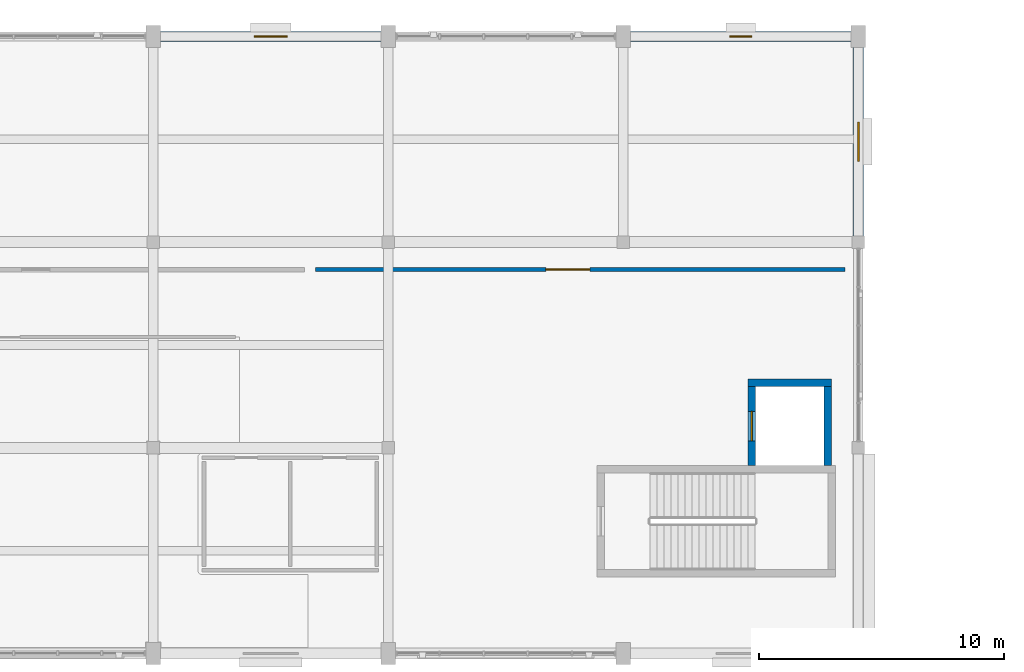
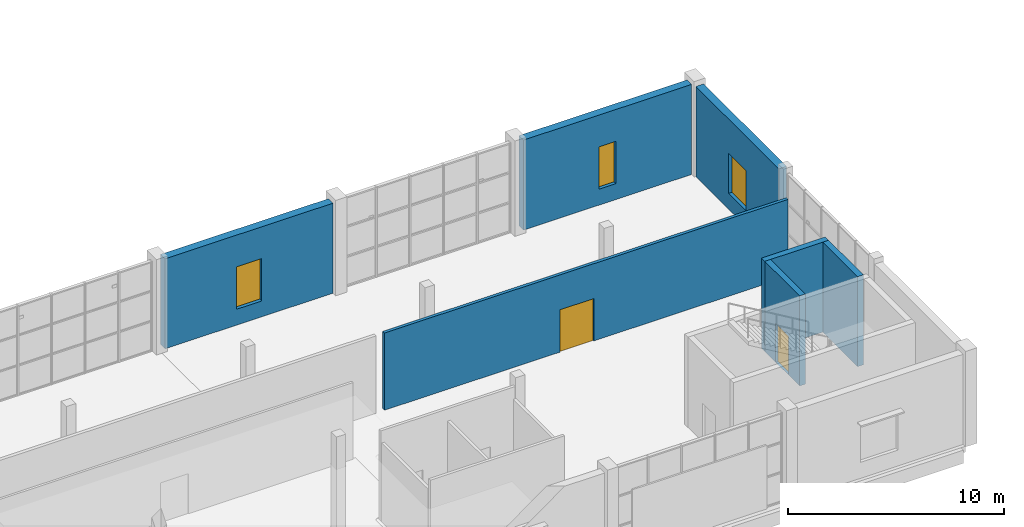
# One storey, part 49 of 72: 7 walls, 3 windows, 2 doors, 5 openings.
"""IFC4 building model written with IfcOpenShell, lengths in metres."""

from ifc_helpers import new_model, si_unit, direction, frame, frame_2d, origin, place, context, subcontext, project, spatial, rectangle, extrude, material, layer, layer_set, type_object, element, fill, save


model = new_model("IFC4")

# Units and contexts
model_context = context("Model", 3, precision=1e-05, world=origin(), true_north=direction((0.0, 1.0)))
body_context = subcontext(model_context, "Body", "Model", "MODEL_VIEW")
ifc_project = project(units=[si_unit("LENGTHUNIT", "METRE"), si_unit("AREAUNIT", "SQUARE_METRE"), si_unit("VOLUMEUNIT", "CUBIC_METRE"), si_unit("PLANEANGLEUNIT", "RADIAN"), si_unit("MASSUNIT", "GRAM", prefix="KILO")], contexts=[model_context])

# Site, building, storey
site_placement = place(None, origin())
site = spatial("IfcSite", under=ifc_project, at=site_placement, CompositionType="ELEMENT")
building_placement = place(site_placement, origin())
building = spatial("IfcBuilding", under=site, at=building_placement, Name="Shalvenor Court Art Gallery", CompositionType="ELEMENT")
storey_placement = place(building_placement, frame((0.0, 0.0, 11.39990234375)))
storey = spatial("IfcBuildingStorey", under=building, at=storey_placement, Name="L02", CompositionType="ELEMENT", Elevation=11.39990234375)

# Walls
ifc_material_1 = material(Name="Concrete C40/50", Category="concrete")
ifc_layer_1 = layer(ifc_material_1, 0.31005859375, Name="Concrete C40/50")
ifc_layer_set_1 = layer_set([ifc_layer_1], Name="Concrete C40/50")
wall_type_1 = type_object("IfcWallType", Name="CW-W2", PredefinedType="SHEAR", material=ifc_layer_set_1)
wall_1_placement = place(storey_placement, frame((120.2900390625, 108.2548828125, 0.0), z_axis=(0.0, 0.0, 1.0), x_axis=(1.0, 0.0, 0.0)))
element("IfcWall", 1, at=wall_1_placement, inside=storey, type_object=wall_type_1, Name="L02 PL-03 Lift Shaft Wall N", PredefinedType="SHEAR", context=body_context, shape_type="SweptSolid", body=[
    extrude(rectangle(XDim=3.419921875, YDim=0.31005859375, at=frame_2d((1.7099609375, 0.0))), origin(), (0.0, 0.0, 1.0), 5.10009765625),
])
wall_2_placement = place(storey_placement, frame((123.554931640625, 108.10009765625, 0.0), z_axis=(0.0, 0.0, 1.0), x_axis=(0.0, -1.0, 0.0)))
element("IfcWall", 2, at=wall_2_placement, inside=storey, type_object=wall_type_1, Name="L02 PL-03 Lift Shaft Wall E", PredefinedType="SHEAR", context=body_context, shape_type="SweptSolid", body=[
    extrude(rectangle(XDim=3.22802734375, YDim=0.31005859375, at=frame_2d((1.614013671875, 0.0))), origin(), (0.0, 0.0, 1.0), 5.10009765625),
])

# Wall, opening, door
wall_3_placement = place(storey_placement, frame((120.445068359375, 104.8720703125, 0.0), z_axis=(0.0, 0.0, 1.0), x_axis=(0.0, 1.0, 0.0)))
wall_3 = element("IfcWall", 3, at=wall_3_placement, inside=storey, type_object=wall_type_1, Name="L02 PL-03 Lift Shaft Wall W", PredefinedType="SHEAR", context=body_context, shape_type="SweptSolid", body=[
    extrude(rectangle(XDim=3.22802734375, YDim=0.31005859375, at=frame_2d((1.614013671875, 0.0))), origin(), (0.0, 0.0, 1.0), 5.10009765625),
])
opening_1_placement = place(wall_3_placement, frame((1.013916015625, 0.0, 0.0)))
opening_1 = element("IfcOpeningElement", 4, at=opening_1_placement, cuts=wall_3, Name="Opening LD-02", PredefinedType="OPENING", context=body_context, shape_type="SweptSolid", body=[
    extrude(rectangle(XDim=1.199951171875, YDim=2.199951171875, at=frame_2d((0.60009765625, 1.10009765625))), frame((0.0, 0.1650390625, 0.0), z_axis=(0.0, -1.0, 0.0), x_axis=(1.0, 0.0, 0.0)), (0.0, 0.0, 1.0), 0.330078125),
])
ifc_material_2 = material(Name="Brushed stainless passenger lift sliding landing door", Category="steel")
door_type_1 = type_object("IfcDoorType", Name="LD-02", OperationType="NOTDEFINED", PredefinedType="DOOR", material=ifc_material_2)
door_1_placement = place(opening_1_placement, origin())
door_1 = element("IfcDoor", 5, at=door_1_placement, inside=storey, type_object=door_type_1, Name="DR-LD-L02-PL-03 L02 PL-03 Lift Landing Sliding Door", OperationType="DOUBLE_DOOR_SLIDING", OverallHeight=2.199951171875, OverallWidth=1.199951171875, PredefinedType="DOOR", context=body_context, shape_type="SweptSolid", body=[
    extrude(rectangle(XDim=1.199951171875, YDim=2.199951171875, at=frame_2d((0.60009765625, 1.10009765625))), frame((0.0, 0.02490234375, 0.0), z_axis=(0.0, -1.0, 0.0), x_axis=(1.0, 0.0, 0.0)), (0.0, 0.0, 1.0), 0.050048828125),
])
fill(opening_1, door_1)

# Wall, opening, window
ifc_material_3 = material(Name="Concrete C40/50", Category="concrete")
ifc_layer_2 = layer(ifc_material_3, 0.419921875, Name="Concrete C40/50")
ifc_layer_set_2 = layer_set([ifc_layer_2], Name="Concrete C40/50")
wall_type_2 = type_object("IfcWallType", Name="EW-02", PredefinedType="SOLIDWALL", material=ifc_layer_set_2)
wall_4_placement = place(storey_placement, frame((96.300048828125, 122.39990234375, 0.0), z_axis=(0.0, 0.0, 1.0), x_axis=(1.0, 0.0, 0.0)))
wall_4 = element("IfcWall", 6, at=wall_4_placement, inside=storey, type_object=wall_type_2, Name="L02 V2 Exterior Wall WL-L02-0144", PredefinedType="SOLIDWALL", context=body_context, shape_type="SweptSolid", body=[
    extrude(rectangle(XDim=9.0, YDim=0.419921875, at=frame_2d((4.5, 0.0))), origin(), (0.0, 0.0, 1.0), 5.10009765625),
])
opening_2_placement = place(wall_4_placement, frame((3.824951171875, 0.0, 0.89990234375)))
opening_2 = element("IfcOpeningElement", 7, at=opening_2_placement, cuts=wall_4, Name="Opening WN-13", PredefinedType="OPENING", context=body_context, shape_type="SweptSolid", body=[
    extrude(rectangle(XDim=1.35009765625, YDim=2.39990234375, at=frame_2d((0.675048828125, 1.199951171875))), frame((0.0, 0.219970703125, 0.0), z_axis=(0.0, -1.0, 0.0), x_axis=(1.0, 0.0, 0.0)), (0.0, 0.0, 1.0), 0.43994140625),
])
ifc_material_4 = material(Name="Deep-reveal slot limestone window IGU", Category="masonry")
window_type_1 = type_object("IfcWindowType", Name="WN-13", PartitioningType="SINGLE_PANEL", PredefinedType="WINDOW", material=ifc_material_4)
window_1_placement = place(opening_2_placement, origin())
window_1 = element("IfcWindow", 8, at=window_1_placement, inside=storey, type_object=window_type_1, Name="L02 Window WIN-L02-0035", OverallHeight=2.39990234375, OverallWidth=1.35009765625, PartitioningType="SINGLE_PANEL", PredefinedType="WINDOW", context=body_context, shape_type="SweptSolid", body=[
    extrude(rectangle(XDim=1.35009765625, YDim=2.39990234375, at=frame_2d((0.675048828125, 1.199951171875))), frame((0.0, 0.030029296875, 0.0), z_axis=(0.0, -1.0, 0.0), x_axis=(1.0, 0.0, 0.0)), (0.0, 0.0, 1.0), 0.06005859375),
])
fill(opening_2, window_1)

wall_5_placement = place(storey_placement, frame((115.5, 122.39990234375, 0.0), z_axis=(0.0, 0.0, 1.0), x_axis=(1.0, 0.0, 0.0)))
wall_5 = element("IfcWall", 9, at=wall_5_placement, inside=storey, type_object=wall_type_2, Name="L02 V2 Exterior Wall WL-L02-0145", PredefinedType="SOLIDWALL", context=body_context, shape_type="SweptSolid", body=[
    extrude(rectangle(XDim=9.0, YDim=0.419921875, at=frame_2d((4.5, 0.0))), origin(), (0.0, 0.0, 1.0), 5.10009765625),
])
opening_3_placement = place(wall_5_placement, frame((4.050048828125, 0.0, 0.89990234375)))
opening_3 = element("IfcOpeningElement", 10, at=opening_3_placement, cuts=wall_5, Name="Opening WN-14", PredefinedType="OPENING", context=body_context, shape_type="SweptSolid", body=[
    extrude(rectangle(XDim=0.89990234375, YDim=2.39990234375, at=frame_2d((0.449951171875, 1.199951171875))), frame((0.0, 0.219970703125, 0.0), z_axis=(0.0, -1.0, 0.0), x_axis=(1.0, 0.0, 0.0)), (0.0, 0.0, 1.0), 0.43994140625),
])
ifc_material_5 = material(Name="Deep-reveal slot limestone window IGU", Category="masonry")
window_type_2 = type_object("IfcWindowType", Name="WN-14", PartitioningType="SINGLE_PANEL", PredefinedType="WINDOW", material=ifc_material_5)
window_2_placement = place(opening_3_placement, origin())
window_2 = element("IfcWindow", 11, at=window_2_placement, inside=storey, type_object=window_type_2, Name="L02 Window WIN-L02-0036", OverallHeight=2.39990234375, OverallWidth=0.89990234375, PartitioningType="SINGLE_PANEL", PredefinedType="WINDOW", context=body_context, shape_type="SweptSolid", body=[
    extrude(rectangle(XDim=0.89990234375, YDim=2.39990234375, at=frame_2d((0.449951171875, 1.199951171875))), frame((0.0, 0.030029296875, 0.0), z_axis=(0.0, -1.0, 0.0), x_axis=(1.0, 0.0, 0.0)), (0.0, 0.0, 1.0), 0.06005859375),
])
fill(opening_3, window_2)

wall_6_placement = place(storey_placement, frame((124.800048828125, 121.949951171875, 0.0), z_axis=(0.0, 0.0, 1.0), x_axis=(0.0, -1.0, 0.0)))
wall_6 = element("IfcWall", 12, at=wall_6_placement, inside=storey, type_object=wall_type_2, Name="L02 V2 Exterior Wall WL-L02-0146", PredefinedType="SOLIDWALL", context=body_context, shape_type="SweptSolid", body=[
    extrude(rectangle(XDim=7.699951171875, YDim=0.419921875, at=frame_2d((3.85009765625, 0.0))), origin(), (0.0, 0.0, 1.0), 5.10009765625),
])
opening_4_placement = place(wall_6_placement, frame((3.050048828125, 0.0, 0.89990234375)))
opening_4 = element("IfcOpeningElement", 13, at=opening_4_placement, cuts=wall_6, Name="Opening WN-15", PredefinedType="OPENING", context=body_context, shape_type="SweptSolid", body=[
    extrude(rectangle(XDim=1.60009765625, YDim=2.25, at=frame_2d((0.800048828125, 1.125))), frame((0.0, 0.219970703125, 0.0), z_axis=(0.0, -1.0, 0.0), x_axis=(1.0, 0.0, 0.0)), (0.0, 0.0, 1.0), 0.43994140625),
])
ifc_material_6 = material(Name="Low-iron solar-control double IGU", Category="glass")
window_type_3 = type_object("IfcWindowType", Name="WN-15", PartitioningType="SINGLE_PANEL", PredefinedType="WINDOW", material=ifc_material_6)
window_3_placement = place(opening_4_placement, origin())
window_3 = element("IfcWindow", 14, at=window_3_placement, inside=storey, type_object=window_type_3, Name="L02 Window WIN-L02-0037", OverallHeight=2.25, OverallWidth=1.60009765625, PartitioningType="SINGLE_PANEL", PredefinedType="WINDOW", context=body_context, shape_type="SweptSolid", body=[
    extrude(rectangle(XDim=1.60009765625, YDim=2.25, at=frame_2d((0.800048828125, 1.125))), frame((0.0, 0.030029296875, 0.0), z_axis=(0.0, -1.0, 0.0), x_axis=(1.0, 0.0, 0.0)), (0.0, 0.0, 1.0), 0.06005859375),
])
fill(opening_4, window_3)

# Wall, opening, door
ifc_material_7 = material(Name="Double-stud acoustic gallery partition", Category="other")
ifc_layer_3 = layer(ifc_material_7, 0.1650390625, Name="Double-stud acoustic gallery partition")
ifc_layer_set_3 = layer_set([ifc_layer_3], Name="Double-stud acoustic gallery partition")
wall_type_3 = type_object("IfcWallType", Name="PT-02", PredefinedType="PARTITIONING", material=ifc_layer_set_3)
wall_7_placement = place(storey_placement, frame((124.25, 112.8798828125, 0.0), z_axis=(0.0, 0.0, 1.0), x_axis=(-1.0, 0.0, 0.0)))
wall_7 = element("IfcWall", 15, at=wall_7_placement, inside=storey, type_object=wall_type_3, Name="L02 Sound And Video Art Gallery Partition 646", PredefinedType="PARTITIONING", context=body_context, shape_type="SweptSolid", body=[
    extrude(rectangle(XDim=21.6201171875, YDim=0.1650390625, at=frame_2d((10.81005859375, 0.0))), origin(), (0.0, 0.0, 1.0), 4.375),
])
opening_5_placement = place(wall_7_placement, frame((10.409912109375, 0.0, 0.0)))
opening_5 = element("IfcOpeningElement", 16, at=opening_5_placement, cuts=wall_7, Name="Opening ID-01", PredefinedType="OPENING", context=body_context, shape_type="SweptSolid", body=[
    extrude(rectangle(XDim=1.800048828125, YDim=2.39990234375, at=frame_2d((0.89990234375, 1.199951171875))), frame((0.0, 0.092529296875, 0.0), z_axis=(0.0, -1.0, 0.0), x_axis=(1.0, 0.0, 0.0)), (0.0, 0.0, 1.0), 0.18505859375),
])
ifc_material_8 = material(Name="Oak-veneered acoustic gallery double doorset", Category="wood")
door_type_2 = type_object("IfcDoorType", Name="ID-01", OperationType="NOTDEFINED", PredefinedType="DOOR", material=ifc_material_8)
door_2_placement = place(opening_5_placement, origin())
door_2 = element("IfcDoor", 17, at=door_2_placement, inside=storey, type_object=door_type_2, Name="DR-RM-L02-0177 L02 Sound And Video Art Gallery Door", OperationType="DOUBLE_DOOR_SINGLE_SWING", OverallHeight=2.39990234375, OverallWidth=1.800048828125, PredefinedType="DOOR", context=body_context, shape_type="SweptSolid", body=[
    extrude(rectangle(XDim=1.800048828125, YDim=2.39990234375, at=frame_2d((0.89990234375, 1.199951171875))), frame((0.0, 0.02490234375, 0.0), z_axis=(0.0, -1.0, 0.0), x_axis=(1.0, 0.0, 0.0)), (0.0, 0.0, 1.0), 0.050048828125),
])
fill(opening_5, door_2)

save(model, "model.ifc")
